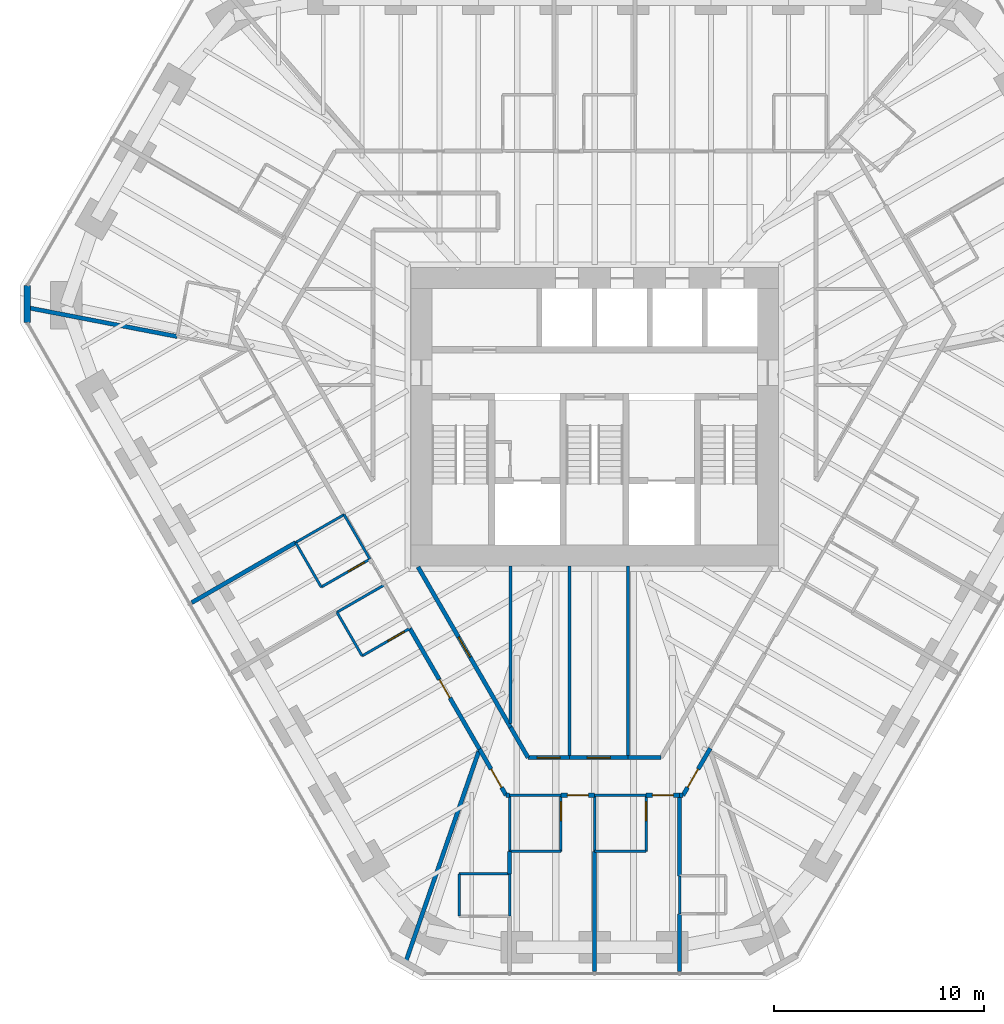
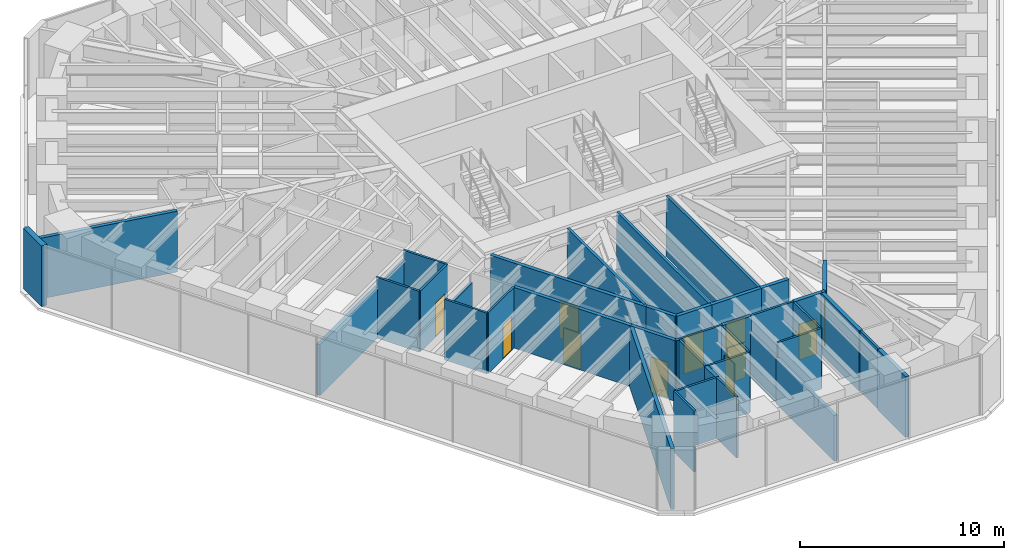
# One storey, part 11 of 16: 42 walls, 12 doors, 12 openings.
"""IFC4 building model written with IfcOpenShell, lengths in metres."""

from ifc_helpers import new_model, si_unit, direction, frame, frame_2d, origin, place, context, subcontext, project, spatial, rectangle, extrude, material, layer, layer_set, type_object, element, fill, save


model = new_model("IFC4")

# Units and contexts
model_context = context("Model", 3, precision=1e-05, world=origin(), true_north=direction((0.0, 1.0)))
body_context = subcontext(model_context, "Body", "Model", "MODEL_VIEW")
ifc_project = project(units=[si_unit("LENGTHUNIT", "METRE"), si_unit("AREAUNIT", "SQUARE_METRE"), si_unit("VOLUMEUNIT", "CUBIC_METRE"), si_unit("PLANEANGLEUNIT", "RADIAN"), si_unit("MASSUNIT", "GRAM", prefix="KILO")], contexts=[model_context])

# Site, building, storey
site_placement = place(None, origin())
site = spatial("IfcSite", under=ifc_project, at=site_placement, CompositionType="ELEMENT")
building_placement = place(site_placement, origin())
building = spatial("IfcBuilding", under=site, at=building_placement, Name="Sandreach Pilgrim Tower", CompositionType="ELEMENT")
storey_placement = place(building_placement, frame((0.0, 0.0, 187.0)))
storey = spatial("IfcBuildingStorey", under=building, at=storey_placement, Name="L46", CompositionType="ELEMENT", Elevation=187.0)

# Walls
ifc_material_1 = material(Name="Gypsum board on steel studs", Category="steel")
ifc_layer_1 = layer(ifc_material_1, 0.14990234375)
ifc_layer_set_1 = layer_set([ifc_layer_1], Name="Back of house wall 150")
wall_type_1 = type_object("IfcWallType", Name="Back of house wall 150", PredefinedType="PARTITIONING", material=ifc_layer_set_1)
wall_1_placement = place(storey_placement, frame((-4.0, -7.10009765625, 0.0), z_axis=(0.0, 0.0, 1.0), x_axis=(0.0, -1.0, 0.0)))
element("IfcWall", 1, at=wall_1_placement, inside=storey, type_object=wall_type_1, Name="Back of house wall L46-062", PredefinedType="PARTITIONING", context=body_context, shape_type="SweptSolid", body=[
    extrude(rectangle(XDim=7.514892578125, YDim=0.14990234375, at=frame_2d((3.75732421875, 0.0))), origin(), (0.0, 0.0, 1.0), 3.639892578125),
])
for number, where, z_axis, x_axis, name in (
    (2, (-1.199951171875, -7.10009765625, 0.0), (0.0, 0.0, 1.0), (0.0, -1.0, 0.0), "Back of house wall L46-071"),
    (3, (1.60009765625, -7.10009765625, 0.0), (0.0, 0.0, 1.0), (0.0, -1.0, 0.0), "Back of house wall L46-079"),
):
    element("IfcWall", number, at=place(storey_placement, frame(where, z_axis=z_axis, x_axis=x_axis)), inside=storey, type_object=wall_type_1, Name=name, PredefinedType="PARTITIONING", context=body_context, shape_type="SweptSolid", body=[
        extrude(rectangle(XDim=9.1298828125, YDim=0.14990234375, at=frame_2d((4.56494140625, 0.0))), origin(), (0.0, 0.0, 1.0), 3.639892578125),
    ])
ifc_material_2 = material(Name="Moisture-resistant gypsum board on steel studs", Category="steel")
ifc_layer_2 = layer(ifc_material_2, 0.1201171875)
ifc_layer_set_2 = layer_set([ifc_layer_2], Name="Bathroom partition 120")
wall_type_2 = type_object("IfcWallType", Name="Bathroom partition 120", PredefinedType="PARTITIONING", material=ifc_layer_set_2)
wall_2_placement = place(storey_placement, frame((-14.239990234375, -5.989990234375, 0.0), z_axis=(0.0, 0.0, 1.0), x_axis=(0.498748634132, -0.866746675766, 0.0)))
element("IfcWall", 4, at=wall_2_placement, inside=storey, type_object=wall_type_2, Name="Bathroom partition L46-023", PredefinedType="PARTITIONING", context=body_context, shape_type="SweptSolid", body=[
    extrude(rectangle(XDim=2.446044921875, YDim=0.1201171875, at=frame_2d((1.22314453125, 0.0))), origin(), (0.0, 0.0, 1.0), 3.639892578125),
])
wall_3_placement = place(storey_placement, frame((-14.239990234375, -5.989990234375, 0.0), z_axis=(0.0, 0.0, 1.0), x_axis=(0.866615255992, 0.498976951453, 0.0)))
element("IfcWall", 5, at=wall_3_placement, inside=storey, type_object=wall_type_2, Name="Bathroom partition L46-024", PredefinedType="PARTITIONING", context=body_context, shape_type="SweptSolid", body=[
    extrude(rectangle(XDim=2.66552734375, YDim=0.1201171875, at=frame_2d((1.332763671875, 0.0))), origin(), (0.0, 0.0, 1.0), 3.0380859375),
])

# Wall, opening, door
wall_4_placement = place(storey_placement, frame((-13.02001953125, -8.110107421875, 0.0), z_axis=(0.0, 0.0, 1.0), x_axis=(0.867545659855, 0.497357545501, 0.0)))
wall_4 = element("IfcWall", 6, at=wall_4_placement, inside=storey, type_object=wall_type_2, Name="Bathroom partition L46-029", PredefinedType="PARTITIONING", context=body_context, shape_type="SweptSolid", body=[
    extrude(rectangle(XDim=2.67431640625, YDim=0.1201171875, at=frame_2d((1.337158203125, 0.0))), origin(), (0.0, 0.0, 1.0), 3.639892578125),
])
opening_1_placement = place(wall_4_placement, frame((1.47412109375, 0.0, 0.0)))
opening_1 = element("IfcOpeningElement", 7, at=opening_1_placement, cuts=wall_4, Name="Opening D09-14B", PredefinedType="OPENING", context=body_context, shape_type="SweptSolid", body=[
    extrude(rectangle(XDim=0.89990234375, YDim=2.030029296875, at=frame_2d((0.449951171875, 1.01513671875))), frame((0.0, 0.06005859375, 0.0), z_axis=(0.0, -1.0, 0.0), x_axis=(1.0, 0.0, 0.0)), (0.0, 0.0, 1.0), 0.1201171875),
])
ifc_material_3 = material(Name="Timber door, steel frame", Category="steel")
door_type_1 = type_object("IfcDoorType", Name="Bathroom door", OperationType="SINGLE_SWING_LEFT", PredefinedType="DOOR", material=ifc_material_3)
door_1_placement = place(opening_1_placement, origin())
door_1 = element("IfcDoor", 8, at=door_1_placement, inside=storey, type_object=door_type_1, Name="Door 4614B", OperationType="SINGLE_SWING_RIGHT", OverallHeight=2.030029296875, OverallWidth=0.89990234375, PredefinedType="DOOR", context=body_context, shape_type="SweptSolid", body=[
    extrude(rectangle(XDim=0.89990234375, YDim=2.030029296875, at=frame_2d((0.449951171875, 1.01513671875))), frame((0.0, 0.02490234375, 0.0), z_axis=(0.0, -1.0, 0.0), x_axis=(1.0, 0.0, 0.0)), (0.0, 0.0, 1.0), 0.050048828125),
])
fill(opening_1, door_1)

# Walls
wall_5_placement = place(storey_placement, frame((-12.27001953125, -9.31005859375, 0.0), z_axis=(0.0, 0.0, 1.0), x_axis=(0.499737123639, -0.866177122335, 0.0)))
element("IfcWall", 9, at=wall_5_placement, inside=storey, type_object=wall_type_2, Name="Bathroom partition L46-030", PredefinedType="PARTITIONING", context=body_context, shape_type="SweptSolid", body=[
    extrude(rectangle(XDim=2.401123046875, YDim=0.1201171875, at=frame_2d((1.20068359375, 0.0))), origin(), (0.0, 0.0, 1.0), 3.639892578125),
])
wall_6_placement = place(storey_placement, frame((-12.27001953125, -9.31005859375, 0.0), z_axis=(0.0, 0.0, 1.0), x_axis=(0.866114241029, 0.499846097802, 0.0)))
element("IfcWall", 10, at=wall_6_placement, inside=storey, type_object=wall_type_2, Name="Bathroom partition L46-031", PredefinedType="PARTITIONING", context=body_context, shape_type="SweptSolid", body=[
    extrude(rectangle(XDim=2.620849609375, YDim=0.1201171875, at=frame_2d((1.310546875, 0.0))), origin(), (0.0, 0.0, 1.0), 3.0380859375),
])
wall_7_placement = place(storey_placement, frame((-11.929931640625, -4.659912109375, 0.0), z_axis=(0.0, 0.0, 1.0), x_axis=(0.501813488763, -0.864975850817, 0.0)))
element("IfcWall", 11, at=wall_7_placement, inside=storey, type_object=wall_type_2, Name="Bathroom partition L46-032", PredefinedType="PARTITIONING", context=body_context, shape_type="SweptSolid", body=[
    extrude(rectangle(XDim=2.451171875, YDim=0.1201171875, at=frame_2d((1.2255859375, 0.0))), origin(), (0.0, 0.0, 1.0), 3.639892578125),
])

# Wall, opening, door
wall_8_placement = place(storey_placement, frame((-11.070068359375, -11.389892578125, 0.0), z_axis=(0.0, 0.0, 1.0), x_axis=(0.866154567199, 0.49977621564, 0.0)))
wall_8 = element("IfcWall", 12, at=wall_8_placement, inside=storey, type_object=wall_type_2, Name="Bathroom partition L46-034", PredefinedType="PARTITIONING", context=body_context, shape_type="SweptSolid", body=[
    extrude(rectangle(XDim=2.620849609375, YDim=0.1201171875, at=frame_2d((1.310546875, 0.0))), origin(), (0.0, 0.0, 1.0), 3.639892578125),
])
opening_2_placement = place(wall_8_placement, frame((1.4208984375, 0.0, 0.0)))
opening_2 = element("IfcOpeningElement", 13, at=opening_2_placement, cuts=wall_8, Name="Opening D09-13B", PredefinedType="OPENING", context=body_context, shape_type="SweptSolid", body=[
    extrude(rectangle(XDim=0.89990234375, YDim=2.030029296875, at=frame_2d((0.449951171875, 1.01513671875))), frame((0.0, 0.06005859375, 0.0), z_axis=(0.0, -1.0, 0.0), x_axis=(1.0, 0.0, 0.0)), (0.0, 0.0, 1.0), 0.1201171875),
])
door_2_placement = place(opening_2_placement, origin())
door_2 = element("IfcDoor", 14, at=door_2_placement, inside=storey, type_object=door_type_1, Name="Door 4613B", OperationType="SINGLE_SWING_RIGHT", OverallHeight=2.030029296875, OverallWidth=0.89990234375, PredefinedType="DOOR", context=body_context, shape_type="SweptSolid", body=[
    extrude(rectangle(XDim=0.89990234375, YDim=2.030029296875, at=frame_2d((0.449951171875, 1.01513671875))), frame((0.0, 0.02490234375, 0.0), z_axis=(0.0, -1.0, 0.0), x_axis=(1.0, 0.0, 0.0)), (0.0, 0.0, 1.0), 0.050048828125),
])
fill(opening_2, door_2)

# Walls
for number, where, z_axis, x_axis, name in (
    (15, (-6.449951171875, -21.77001953125, 0.0), (0.0, 0.0, 1.0), (0.0, -1.0, 0.0), "Bathroom partition L46-047"),
    (16, (-4.050048828125, -23.780029296875, 0.0), (0.0, 0.0, 1.0), (0.0, 1.0, 0.0), "Bathroom partition L46-055"),
):
    element("IfcWall", number, at=place(storey_placement, frame(where, z_axis=z_axis, x_axis=x_axis)), inside=storey, type_object=wall_type_2, Name=name, PredefinedType="PARTITIONING", context=body_context, shape_type="SweptSolid", body=[
        extrude(rectangle(XDim=2.010009765625, YDim=0.1201171875, at=frame_2d((1.0048828125, 0.0))), origin(), (0.0, 0.0, 1.0), 3.639892578125),
    ])
wall_9_placement = place(storey_placement, frame((-4.050048828125, -21.77001953125, 0.0), z_axis=(0.0, 0.0, 1.0), x_axis=(-1.0, 0.0, 0.0)))
element("IfcWall", 17, at=wall_9_placement, inside=storey, type_object=wall_type_2, Name="Bathroom partition L46-056", PredefinedType="PARTITIONING", context=body_context, shape_type="SweptSolid", body=[
    extrude(rectangle(XDim=2.39990234375, YDim=0.1201171875, at=frame_2d((1.199951171875, 0.0))), origin(), (0.0, 0.0, 1.0), 3.639892578125),
])
wall_10_placement = place(storey_placement, frame((-4.050048828125, -20.699951171875, 0.0), z_axis=(0.0, 0.0, 1.0), x_axis=(0.0, 1.0, 0.0)))
element("IfcWall", 18, at=wall_10_placement, inside=storey, type_object=wall_type_2, Name="Bathroom partition L46-058", PredefinedType="PARTITIONING", context=body_context, shape_type="SweptSolid", body=[
    extrude(rectangle(XDim=2.669921875, YDim=0.1201171875, at=frame_2d((1.3349609375, 0.0))), origin(), (0.0, 0.0, 1.0), 3.639892578125),
])
for number, where, z_axis, x_axis, name in (
    (19, (-4.050048828125, -20.699951171875, 0.0), (0.0, 0.0, 1.0), (1.0, 0.0, 0.0), "Bathroom partition L46-059"),
    (20, (-4.050048828125, -18.030029296875, 0.0), (0.0, 0.0, 1.0), (1.0, 0.0, 0.0), "Bathroom partition L46-060"),
):
    element("IfcWall", number, at=place(storey_placement, frame(where, z_axis=z_axis, x_axis=x_axis)), inside=storey, type_object=wall_type_2, Name=name, PredefinedType="PARTITIONING", context=body_context, shape_type="SweptSolid", body=[
        extrude(rectangle(XDim=2.449951171875, YDim=0.1201171875, at=frame_2d((1.22509765625, 0.0))), origin(), (0.0, 0.0, 1.0), 3.639892578125),
    ])

# Wall, opening, door
wall_11_placement = place(storey_placement, frame((-1.60009765625, -20.699951171875, 0.0), z_axis=(0.0, 0.0, 1.0), x_axis=(0.0, 1.0, 0.0)))
wall_11 = element("IfcWall", 21, at=wall_11_placement, inside=storey, type_object=wall_type_2, Name="Bathroom partition L46-068", PredefinedType="PARTITIONING", context=body_context, shape_type="SweptSolid", body=[
    extrude(rectangle(XDim=2.669921875, YDim=0.1201171875, at=frame_2d((1.3349609375, 0.0))), origin(), (0.0, 0.0, 1.0), 3.639892578125),
])
opening_3_placement = place(wall_11_placement, frame((1.469970703125, 0.0, 0.0)))
opening_3 = element("IfcOpeningElement", 22, at=opening_3_placement, cuts=wall_11, Name="Opening D09-11B", PredefinedType="OPENING", context=body_context, shape_type="SweptSolid", body=[
    extrude(rectangle(XDim=0.89990234375, YDim=2.030029296875, at=frame_2d((0.449951171875, 1.01513671875))), frame((0.0, 0.06005859375, 0.0), z_axis=(0.0, -1.0, 0.0), x_axis=(1.0, 0.0, 0.0)), (0.0, 0.0, 1.0), 0.1201171875),
])
door_3_placement = place(opening_3_placement, origin())
door_3 = element("IfcDoor", 23, at=door_3_placement, inside=storey, type_object=door_type_1, Name="Door 4611B", OperationType="SINGLE_SWING_RIGHT", OverallHeight=2.030029296875, OverallWidth=0.89990234375, PredefinedType="DOOR", context=body_context, shape_type="SweptSolid", body=[
    extrude(rectangle(XDim=0.89990234375, YDim=2.030029296875, at=frame_2d((0.449951171875, 1.01513671875))), frame((0.0, 0.02490234375, 0.0), z_axis=(0.0, -1.0, 0.0), x_axis=(1.0, 0.0, 0.0)), (0.0, 0.0, 1.0), 0.050048828125),
])
fill(opening_3, door_3)

# Walls
wall_12_placement = place(storey_placement, frame((0.0, -20.699951171875, 0.0), z_axis=(0.0, 0.0, 1.0), x_axis=(0.0, 1.0, 0.0)))
element("IfcWall", 24, at=wall_12_placement, inside=storey, type_object=wall_type_2, Name="Bathroom partition L46-075", PredefinedType="PARTITIONING", context=body_context, shape_type="SweptSolid", body=[
    extrude(rectangle(XDim=2.669921875, YDim=0.1201171875, at=frame_2d((1.3349609375, 0.0))), origin(), (0.0, 0.0, 1.0), 2.7255859375),
])
for number, where, z_axis, x_axis, name in (
    (25, (0.0, -20.699951171875, 0.0), (0.0, 0.0, 1.0), (1.0, 0.0, 0.0), "Bathroom partition L46-076"),
    (26, (0.0, -18.030029296875, 0.0), (0.0, 0.0, 1.0), (1.0, 0.0, 0.0), "Bathroom partition L46-077"),
):
    element("IfcWall", number, at=place(storey_placement, frame(where, z_axis=z_axis, x_axis=x_axis)), inside=storey, type_object=wall_type_2, Name=name, PredefinedType="PARTITIONING", context=body_context, shape_type="SweptSolid", body=[
        extrude(rectangle(XDim=2.449951171875, YDim=0.1201171875, at=frame_2d((1.22509765625, 0.0))), origin(), (0.0, 0.0, 1.0), 3.639892578125),
    ])

# Wall, opening, door
wall_13_placement = place(storey_placement, frame((2.449951171875, -20.699951171875, 0.0), z_axis=(0.0, 0.0, 1.0), x_axis=(0.0, 1.0, 0.0)))
wall_13 = element("IfcWall", 27, at=wall_13_placement, inside=storey, type_object=wall_type_2, Name="Bathroom partition L46-084", PredefinedType="PARTITIONING", context=body_context, shape_type="SweptSolid", body=[
    extrude(rectangle(XDim=2.669921875, YDim=0.1201171875, at=frame_2d((1.3349609375, 0.0))), origin(), (0.0, 0.0, 1.0), 3.639892578125),
])
opening_4_placement = place(wall_13_placement, frame((1.469970703125, 0.0, 0.0)))
opening_4 = element("IfcOpeningElement", 28, at=opening_4_placement, cuts=wall_13, Name="Opening D09-10B", PredefinedType="OPENING", context=body_context, shape_type="SweptSolid", body=[
    extrude(rectangle(XDim=0.89990234375, YDim=2.030029296875, at=frame_2d((0.449951171875, 1.01513671875))), frame((0.0, 0.06005859375, 0.0), z_axis=(0.0, -1.0, 0.0), x_axis=(1.0, 0.0, 0.0)), (0.0, 0.0, 1.0), 0.1201171875),
])
door_4_placement = place(opening_4_placement, origin())
door_4 = element("IfcDoor", 29, at=door_4_placement, inside=storey, type_object=door_type_1, Name="Door 4610B", OperationType="SINGLE_SWING_RIGHT", OverallHeight=2.030029296875, OverallWidth=0.89990234375, PredefinedType="DOOR", context=body_context, shape_type="SweptSolid", body=[
    extrude(rectangle(XDim=0.89990234375, YDim=2.030029296875, at=frame_2d((0.449951171875, 1.01513671875))), frame((0.0, 0.02490234375, 0.0), z_axis=(0.0, -1.0, 0.0), x_axis=(1.0, 0.0, 0.0)), (0.0, 0.0, 1.0), 0.050048828125),
])
fill(opening_4, door_4)

# Wall
wall_14_placement = place(storey_placement, frame((4.050048828125, -23.679931640625, 0.0), z_axis=(0.0, 0.0, 1.0), x_axis=(0.0, 1.0, 0.0)))
element("IfcWall", 30, at=wall_14_placement, inside=storey, type_object=wall_type_2, Name="Bathroom partition L46-088", PredefinedType="PARTITIONING", context=body_context, shape_type="SweptSolid", body=[
    extrude(rectangle(XDim=1.809814453125, YDim=0.1201171875, at=frame_2d((0.90478515625, 0.0))), origin(), (0.0, 0.0, 1.0), 3.639892578125),
])

# Wall, opening, door
ifc_material_4 = material(Name="Gypsum board on steel studs, two layers each side", Category="steel")
ifc_layer_3 = layer(ifc_material_4, 0.199951171875)
ifc_layer_set_3 = layer_set([ifc_layer_3], Name="Corridor wall 200")
wall_type_3 = type_object("IfcWallType", Name="Corridor wall 200", PredefinedType="PARTITIONING", material=ifc_layer_set_3)
wall_15_placement = place(storey_placement, frame((-8.800048828125, -10.080078125, 0.0), z_axis=(0.0, 0.0, 1.0), x_axis=(0.500034373799, -0.866005557153, 0.0)))
wall_15 = element("IfcWall", 31, at=wall_15_placement, inside=storey, type_object=wall_type_3, Name="Corridor wall L46-045", PredefinedType="PARTITIONING", context=body_context, shape_type="SweptSolid", body=[
    extrude(rectangle(XDim=6.6396484375, YDim=0.199951171875, at=frame_2d((3.31982421875, 0.0))), origin(), (0.0, 0.0, 1.0), 3.639892578125),
])
opening_5_placement = place(wall_15_placement, frame((2.81982421875, 0.0, 0.0)))
opening_5 = element("IfcOpeningElement", 32, at=opening_5_placement, cuts=wall_15, Name="Opening D10-13", PredefinedType="OPENING", context=body_context, shape_type="SweptSolid", body=[
    extrude(rectangle(XDim=1.0, YDim=2.1298828125, at=frame_2d((0.5, 1.06494140625))), frame((0.0, 0.10009765625, 0.0), z_axis=(0.0, -1.0, 0.0), x_axis=(1.0, 0.0, 0.0)), (0.0, 0.0, 1.0), 0.199951171875),
])
ifc_material_5 = material(Name="Steel door and frame", Category="steel")
door_type_2 = type_object("IfcDoorType", Name="Guest room entry door", OperationType="SINGLE_SWING_LEFT", PredefinedType="DOOR", material=ifc_material_5)
door_5_placement = place(opening_5_placement, origin())
door_5 = element("IfcDoor", 33, at=door_5_placement, inside=storey, type_object=door_type_2, Name="Door 4613", OperationType="SINGLE_SWING_LEFT", OverallHeight=2.1298828125, OverallWidth=1.0, PredefinedType="DOOR", context=body_context, shape_type="SweptSolid", body=[
    extrude(rectangle(XDim=1.0, YDim=2.1298828125, at=frame_2d((0.5, 1.06494140625))), frame((0.0, 0.02490234375, 0.0), z_axis=(0.0, -1.0, 0.0), x_axis=(1.0, 0.0, 0.0)), (0.0, 0.0, 1.0), 0.050048828125),
])
fill(opening_5, door_5)

wall_16_placement = place(storey_placement, frame((-5.47998046875, -15.830078125, 0.0), z_axis=(0.0, 0.0, 1.0), x_axis=(0.499963722229, -0.866046347752, 0.0)))
wall_16 = element("IfcWall", 34, at=wall_16_placement, inside=storey, type_object=wall_type_3, Name="Corridor wall L46-048", PredefinedType="PARTITIONING", context=body_context, shape_type="SweptSolid", body=[
    extrude(rectangle(XDim=2.540283203125, YDim=0.199951171875, at=frame_2d((1.27001953125, 0.0))), origin(), (0.0, 0.0, 1.0), 3.639892578125),
])
opening_6_placement = place(wall_16_placement, frame((1.10009765625, 0.0, 0.0)))
opening_6 = element("IfcOpeningElement", 35, at=opening_6_placement, cuts=wall_16, Name="Opening D10-12", PredefinedType="OPENING", context=body_context, shape_type="SweptSolid", body=[
    extrude(rectangle(XDim=1.0, YDim=2.1298828125, at=frame_2d((0.5, 1.06494140625))), frame((0.0, 0.10009765625, 0.0), z_axis=(0.0, -1.0, 0.0), x_axis=(1.0, 0.0, 0.0)), (0.0, 0.0, 1.0), 0.199951171875),
])
door_6_placement = place(opening_6_placement, origin())
door_6 = element("IfcDoor", 36, at=door_6_placement, inside=storey, type_object=door_type_2, Name="Door 4612", OperationType="SINGLE_SWING_RIGHT", OverallHeight=2.1298828125, OverallWidth=1.0, PredefinedType="DOOR", context=body_context, shape_type="SweptSolid", body=[
    extrude(rectangle(XDim=1.0, YDim=2.1298828125, at=frame_2d((0.5, 1.06494140625))), frame((0.0, 0.02490234375, 0.0), z_axis=(0.0, -1.0, 0.0), x_axis=(1.0, 0.0, 0.0)), (0.0, 0.0, 1.0), 0.050048828125),
])
fill(opening_6, door_6)

# Wall
wall_17_placement = place(storey_placement, frame((-4.2099609375, -18.030029296875, 0.0), z_axis=(0.0, 0.0, 1.0), x_axis=(1.0, 0.0, 0.0)))
element("IfcWall", 37, at=wall_17_placement, inside=storey, type_object=wall_type_3, Name="Corridor wall L46-053", PredefinedType="PARTITIONING", context=body_context, shape_type="SweptSolid", body=[
    extrude(rectangle(XDim=0.159912109375, YDim=0.199951171875, at=frame_2d((0.080078125, 0.0))), origin(), (0.0, 0.0, 1.0), 3.639892578125),
])

# Wall, opening, door
wall_18_placement = place(storey_placement, frame((-4.0, -14.7900390625, 0.0), z_axis=(0.0, 0.0, 1.0), x_axis=(-0.499916512745, 0.866073599808, 0.0)))
wall_18 = element("IfcWall", 38, at=wall_18_placement, inside=storey, type_object=wall_type_3, Name="Corridor wall L46-061", PredefinedType="PARTITIONING", context=body_context, shape_type="SweptSolid", body=[
    extrude(rectangle(XDim=8.8212890625, YDim=0.199951171875, at=frame_2d((4.41064453125, 0.0))), origin(), (0.0, 0.0, 1.0), 3.639892578125),
])
opening_7_placement = place(wall_18_placement, frame((3.860595703125, 0.0, 0.0)))
opening_7 = element("IfcOpeningElement", 39, at=opening_7_placement, cuts=wall_18, Name="Opening D11H-S1", PredefinedType="OPENING", context=body_context, shape_type="SweptSolid", body=[
    extrude(rectangle(XDim=1.10009765625, YDim=2.199951171875, at=frame_2d((0.550048828125, 1.10009765625))), frame((0.0, 0.10009765625, 0.0), z_axis=(0.0, -1.0, 0.0), x_axis=(1.0, 0.0, 0.0)), (0.0, 0.0, 1.0), 0.199951171875),
])
ifc_material_6 = material(Name="Steel door and frame", Category="steel")
door_type_3 = type_object("IfcDoorType", Name="Back of house door", OperationType="SINGLE_SWING_LEFT", PredefinedType="DOOR", material=ifc_material_6)
door_7_placement = place(opening_7_placement, origin())
door_7 = element("IfcDoor", 40, at=door_7_placement, inside=storey, type_object=door_type_3, Name="Door 46S1", OperationType="SINGLE_SWING_LEFT", OverallHeight=2.199951171875, OverallWidth=1.10009765625, PredefinedType="DOOR", context=body_context, shape_type="SweptSolid", body=[
    extrude(rectangle(XDim=1.10009765625, YDim=2.199951171875, at=frame_2d((0.550048828125, 1.10009765625))), frame((0.0, 0.02490234375, 0.0), z_axis=(0.0, -1.0, 0.0), x_axis=(1.0, 0.0, 0.0)), (0.0, 0.0, 1.0), 0.050048828125),
])
fill(opening_7, door_7)

# Wall
wall_19_placement = place(storey_placement, frame((-3.169921875, -16.22998046875, 0.0), z_axis=(0.0, 0.0, 1.0), x_axis=(-0.499425709803, 0.866356716594, 0.0)))
element("IfcWall", 41, at=wall_19_placement, inside=storey, type_object=wall_type_3, Name="Corridor wall L46-063", PredefinedType="PARTITIONING", context=body_context, shape_type="SweptSolid", body=[
    extrude(rectangle(XDim=1.662109375, YDim=0.199951171875, at=frame_2d((0.8310546875, 0.0))), origin(), (0.0, 0.0, 1.0), 3.639892578125),
])

# Wall, opening, door
wall_20_placement = place(storey_placement, frame((-1.60009765625, -18.030029296875, 0.0), z_axis=(0.0, 0.0, 1.0), x_axis=(1.0, 0.0, 0.0)))
wall_20 = element("IfcWall", 42, at=wall_20_placement, inside=storey, type_object=wall_type_3, Name="Corridor wall L46-069", PredefinedType="PARTITIONING", context=body_context, shape_type="SweptSolid", body=[
    extrude(rectangle(XDim=1.60009765625, YDim=0.199951171875, at=frame_2d((0.800048828125, 0.0))), origin(), (0.0, 0.0, 1.0), 3.639892578125),
])
opening_8_placement = place(wall_20_placement, frame((0.300048828125, 0.0, 0.0)))
opening_8 = element("IfcOpeningElement", 43, at=opening_8_placement, cuts=wall_20, Name="Opening D10-11", PredefinedType="OPENING", context=body_context, shape_type="SweptSolid", body=[
    extrude(rectangle(XDim=1.0, YDim=2.1298828125, at=frame_2d((0.5, 1.06494140625))), frame((0.0, 0.10009765625, 0.0), z_axis=(0.0, -1.0, 0.0), x_axis=(1.0, 0.0, 0.0)), (0.0, 0.0, 1.0), 0.199951171875),
])
door_8_placement = place(opening_8_placement, origin())
door_8 = element("IfcDoor", 44, at=door_8_placement, inside=storey, type_object=door_type_2, Name="Door 4611", OperationType="SINGLE_SWING_LEFT", OverallHeight=2.1298828125, OverallWidth=1.0, PredefinedType="DOOR", context=body_context, shape_type="SweptSolid", body=[
    extrude(rectangle(XDim=1.0, YDim=2.1298828125, at=frame_2d((0.5, 1.06494140625))), frame((0.0, 0.02490234375, 0.0), z_axis=(0.0, -1.0, 0.0), x_axis=(1.0, 0.0, 0.0)), (0.0, 0.0, 1.0), 0.050048828125),
])
fill(opening_8, door_8)

wall_21_placement = place(storey_placement, frame((-1.199951171875, -16.22998046875, 0.0), z_axis=(0.0, 0.0, 1.0), x_axis=(-1.0, 0.0, 0.0)))
wall_21 = element("IfcWall", 45, at=wall_21_placement, inside=storey, type_object=wall_type_3, Name="Corridor wall L46-070", PredefinedType="PARTITIONING", context=body_context, shape_type="SweptSolid", body=[
    extrude(rectangle(XDim=1.969970703125, YDim=0.199951171875, at=frame_2d((0.98486328125, 0.0))), origin(), (0.0, 0.0, 1.0), 3.639892578125),
])
opening_9_placement = place(wall_21_placement, frame((0.43505859375, 0.0, 0.0)))
opening_9 = element("IfcOpeningElement", 46, at=opening_9_placement, cuts=wall_21, Name="Opening D11H-S2", PredefinedType="OPENING", context=body_context, shape_type="SweptSolid", body=[
    extrude(rectangle(XDim=1.10009765625, YDim=2.199951171875, at=frame_2d((0.550048828125, 1.10009765625))), frame((0.0, 0.10009765625, 0.0), z_axis=(0.0, -1.0, 0.0), x_axis=(1.0, 0.0, 0.0)), (0.0, 0.0, 1.0), 0.199951171875),
])
door_9_placement = place(opening_9_placement, origin())
door_9 = element("IfcDoor", 47, at=door_9_placement, inside=storey, type_object=door_type_3, Name="Door 46S2", OperationType="SINGLE_SWING_LEFT", OverallHeight=2.199951171875, OverallWidth=1.10009765625, PredefinedType="DOOR", context=body_context, shape_type="SweptSolid", body=[
    extrude(rectangle(XDim=1.10009765625, YDim=2.199951171875, at=frame_2d((0.550048828125, 1.10009765625))), frame((0.0, 0.02490234375, 0.0), z_axis=(0.0, -1.0, 0.0), x_axis=(1.0, 0.0, 0.0)), (0.0, 0.0, 1.0), 0.050048828125),
])
fill(opening_9, door_9)

wall_22_placement = place(storey_placement, frame((1.60009765625, -16.22998046875, 0.0), z_axis=(0.0, 0.0, 1.0), x_axis=(-1.0, 0.0, 0.0)))
wall_22 = element("IfcWall", 48, at=wall_22_placement, inside=storey, type_object=wall_type_3, Name="Corridor wall L46-078", PredefinedType="PARTITIONING", context=body_context, shape_type="SweptSolid", body=[
    extrude(rectangle(XDim=2.800048828125, YDim=0.199951171875, at=frame_2d((1.39990234375, 0.0))), origin(), (0.0, 0.0, 1.0), 3.639892578125),
])
opening_10_placement = place(wall_22_placement, frame((0.85009765625, 0.0, 0.0)))
opening_10 = element("IfcOpeningElement", 49, at=opening_10_placement, cuts=wall_22, Name="Opening D11H-S3", PredefinedType="OPENING", context=body_context, shape_type="SweptSolid", body=[
    extrude(rectangle(XDim=1.10009765625, YDim=2.199951171875, at=frame_2d((0.550048828125, 1.10009765625))), frame((0.0, 0.10009765625, 0.0), z_axis=(0.0, -1.0, 0.0), x_axis=(1.0, 0.0, 0.0)), (0.0, 0.0, 1.0), 0.199951171875),
])
door_10_placement = place(opening_10_placement, origin())
door_10 = element("IfcDoor", 50, at=door_10_placement, inside=storey, type_object=door_type_3, Name="Door 46S3", OperationType="SINGLE_SWING_LEFT", OverallHeight=2.199951171875, OverallWidth=1.10009765625, PredefinedType="DOOR", context=body_context, shape_type="SweptSolid", body=[
    extrude(rectangle(XDim=1.10009765625, YDim=2.199951171875, at=frame_2d((0.550048828125, 1.10009765625))), frame((0.0, 0.02490234375, 0.0), z_axis=(0.0, -1.0, 0.0), x_axis=(1.0, 0.0, 0.0)), (0.0, 0.0, 1.0), 0.050048828125),
])
fill(opening_10, door_10)

wall_23_placement = place(storey_placement, frame((2.449951171875, -18.030029296875, 0.0), z_axis=(0.0, 0.0, 1.0), x_axis=(1.0, 0.0, 0.0)))
wall_23 = element("IfcWall", 51, at=wall_23_placement, inside=storey, type_object=wall_type_3, Name="Corridor wall L46-085", PredefinedType="PARTITIONING", context=body_context, shape_type="SweptSolid", body=[
    extrude(rectangle(XDim=1.60009765625, YDim=0.199951171875, at=frame_2d((0.800048828125, 0.0))), origin(), (0.0, 0.0, 1.0), 3.639892578125),
])
opening_11_placement = place(wall_23_placement, frame((0.300048828125, 0.0, 0.0)))
opening_11 = element("IfcOpeningElement", 52, at=opening_11_placement, cuts=wall_23, Name="Opening D10-10", PredefinedType="OPENING", context=body_context, shape_type="SweptSolid", body=[
    extrude(rectangle(XDim=1.0, YDim=2.1298828125, at=frame_2d((0.5, 1.06494140625))), frame((0.0, 0.10009765625, 0.0), z_axis=(0.0, -1.0, 0.0), x_axis=(1.0, 0.0, 0.0)), (0.0, 0.0, 1.0), 0.199951171875),
])
door_11_placement = place(opening_11_placement, origin())
door_11 = element("IfcDoor", 53, at=door_11_placement, inside=storey, type_object=door_type_2, Name="Door 4610", OperationType="SINGLE_SWING_LEFT", OverallHeight=2.1298828125, OverallWidth=1.0, PredefinedType="DOOR", context=body_context, shape_type="SweptSolid", body=[
    extrude(rectangle(XDim=1.0, YDim=2.1298828125, at=frame_2d((0.5, 1.06494140625))), frame((0.0, 0.02490234375, 0.0), z_axis=(0.0, -1.0, 0.0), x_axis=(1.0, 0.0, 0.0)), (0.0, 0.0, 1.0), 0.050048828125),
])
fill(opening_11, door_11)

# Walls
wall_24_placement = place(storey_placement, frame((3.169921875, -16.22998046875, 0.0), z_axis=(0.0, 0.0, 1.0), x_axis=(-1.0, 0.0, 0.0)))
element("IfcWall", 54, at=wall_24_placement, inside=storey, type_object=wall_type_3, Name="Corridor wall L46-086", PredefinedType="PARTITIONING", context=body_context, shape_type="SweptSolid", body=[
    extrude(rectangle(XDim=1.56982421875, YDim=0.199951171875, at=frame_2d((0.784912109375, 0.0))), origin(), (0.0, 0.0, 1.0), 3.639892578125),
])
wall_25_placement = place(storey_placement, frame((4.050048828125, -18.030029296875, 0.0), z_axis=(0.0, 0.0, 1.0), x_axis=(1.0, 0.0, 0.0)))
element("IfcWall", 55, at=wall_25_placement, inside=storey, type_object=wall_type_3, Name="Corridor wall L46-091", PredefinedType="PARTITIONING", context=body_context, shape_type="SweptSolid", body=[
    extrude(rectangle(XDim=0.159912109375, YDim=0.199951171875, at=frame_2d((0.080078125, 0.0))), origin(), (0.0, 0.0, 1.0), 3.639892578125),
])

# Wall, opening, door
wall_26_placement = place(storey_placement, frame((5.510009765625, -15.7900390625, 0.0), z_axis=(0.0, 0.0, 1.0), x_axis=(-0.501964949025, -0.864887963814, 0.0)))
wall_26 = element("IfcWall", 56, at=wall_26_placement, inside=storey, type_object=wall_type_3, Name="Corridor wall L46-092", PredefinedType="PARTITIONING", context=body_context, shape_type="SweptSolid", body=[
    extrude(rectangle(XDim=2.58984375, YDim=0.199951171875, at=frame_2d((1.294921875, 0.0))), origin(), (0.0, 0.0, 1.0), 3.639892578125),
])
opening_12_placement = place(wall_26_placement, frame((1.14990234375, 0.0, 0.0)))
opening_12 = element("IfcOpeningElement", 57, at=opening_12_placement, cuts=wall_26, Name="Opening D10-09", PredefinedType="OPENING", context=body_context, shape_type="SweptSolid", body=[
    extrude(rectangle(XDim=1.0, YDim=2.1298828125, at=frame_2d((0.5, 1.06494140625))), frame((0.0, 0.10009765625, 0.0), z_axis=(0.0, -1.0, 0.0), x_axis=(1.0, 0.0, 0.0)), (0.0, 0.0, 1.0), 0.199951171875),
])
door_12_placement = place(opening_12_placement, origin())
door_12 = element("IfcDoor", 58, at=door_12_placement, inside=storey, type_object=door_type_2, Name="Door 4609", OperationType="SINGLE_SWING_RIGHT", OverallHeight=2.1298828125, OverallWidth=1.0, PredefinedType="DOOR", context=body_context, shape_type="SweptSolid", body=[
    extrude(rectangle(XDim=1.0, YDim=2.1298828125, at=frame_2d((0.5, 1.06494140625))), frame((0.0, 0.02490234375, 0.0), z_axis=(0.0, -1.0, 0.0), x_axis=(1.0, 0.0, 0.0)), (0.0, 0.0, 1.0), 0.050048828125),
])
fill(opening_12, door_12)

# Walls
ifc_material_7 = material(Name="Double steel stud acoustic wall, gypsum board", Category="steel")
ifc_layer_4 = layer(ifc_material_7, 0.199951171875)
ifc_layer_set_4 = layer_set([ifc_layer_4], Name="Party wall 200")
wall_type_4 = type_object("IfcWallType", Name="Party wall 200", PredefinedType="PARTITIONING", material=ifc_layer_set_4)
wall_27_placement = place(storey_placement, frame((-27.04052734375, 5.204345703125, 0.0), z_axis=(0.0, 0.0, 1.0), x_axis=(0.981883480928, -0.189485698355, 0.0)))
element("IfcWall", 59, at=wall_27_placement, inside=storey, type_object=wall_type_4, Name="Party wall L46-001", PredefinedType="PARTITIONING", context=body_context, shape_type="SweptSolid", body=[
    extrude(rectangle(XDim=7.291259765625, YDim=0.199951171875, at=frame_2d((3.6455078125, 0.0))), origin(), (0.0, 0.0, 1.0), 3.639892578125),
])
wall_28_placement = place(storey_placement, frame((-19.18603515625, -8.849853515625, 0.0), z_axis=(0.0, 0.0, 1.0), x_axis=(0.865702137343, 0.500559496364, 0.0)))
element("IfcWall", 60, at=wall_28_placement, inside=storey, type_object=wall_type_4, Name="Party wall L46-004", PredefinedType="PARTITIONING", context=body_context, shape_type="SweptSolid", body=[
    extrude(rectangle(XDim=5.71337890625, YDim=0.199951171875, at=frame_2d((2.856689453125, 0.0))), origin(), (0.0, 0.0, 1.0), 3.0380859375),
])
wall_29_placement = place(storey_placement, frame((-9.01025390625, -26.01171875, 0.0), z_axis=(0.0, 0.0, 1.0), x_axis=(0.327582991606, 0.944822408504, 0.0)))
element("IfcWall", 61, at=wall_29_placement, inside=storey, type_object=wall_type_4, Name="Party wall L46-044", PredefinedType="PARTITIONING", context=body_context, shape_type="SweptSolid", body=[
    extrude(rectangle(XDim=10.66650390625, YDim=0.199951171875, at=frame_2d((5.333251953125, 0.0))), origin(), (0.0, 0.0, 1.0), 3.639892578125),
])
wall_30_placement = place(storey_placement, frame((-4.050048828125, -21.77001953125, 0.0), z_axis=(0.0, 0.0, 1.0), x_axis=(0.0, 1.0, 0.0)))
element("IfcWall", 62, at=wall_30_placement, inside=storey, type_object=wall_type_4, Name="Party wall L46-057", PredefinedType="PARTITIONING", context=body_context, shape_type="SweptSolid", body=[
    extrude(rectangle(XDim=1.070068359375, YDim=0.199951171875, at=frame_2d((0.53515625, 0.0))), origin(), (0.0, 0.0, 1.0), 3.639892578125),
])
wall_31_placement = place(storey_placement, frame((0.0, -26.409912109375, 0.0), z_axis=(0.0, 0.0, 1.0), x_axis=(0.0, 1.0, 0.0)))
element("IfcWall", 63, at=wall_31_placement, inside=storey, type_object=wall_type_4, Name="Party wall L46-074", PredefinedType="PARTITIONING", context=body_context, shape_type="SweptSolid", body=[
    extrude(rectangle(XDim=5.7099609375, YDim=0.199951171875, at=frame_2d((2.85498046875, 0.0))), origin(), (0.0, 0.0, 1.0), 2.7255859375),
])
wall_32_placement = place(storey_placement, frame((4.050048828125, -26.409912109375, 0.0), z_axis=(0.0, 0.0, 1.0), x_axis=(0.0, 1.0, 0.0)))
element("IfcWall", 64, at=wall_32_placement, inside=storey, type_object=wall_type_4, Name="Party wall L46-087", PredefinedType="PARTITIONING", context=body_context, shape_type="SweptSolid", body=[
    extrude(rectangle(XDim=2.72998046875, YDim=0.199951171875, at=frame_2d((1.364990234375, 0.0))), origin(), (0.0, 0.0, 1.0), 3.639892578125),
])
wall_33_placement = place(storey_placement, frame((4.050048828125, -21.8701171875, 0.0), z_axis=(0.0, 0.0, 1.0), x_axis=(0.0, 1.0, 0.0)))
element("IfcWall", 65, at=wall_33_placement, inside=storey, type_object=wall_type_4, Name="Party wall L46-090", PredefinedType="PARTITIONING", context=body_context, shape_type="SweptSolid", body=[
    extrude(rectangle(XDim=3.830078125, YDim=0.199951171875, at=frame_2d((1.9150390625, 0.0))), origin(), (0.0, 0.0, 1.0), 3.639892578125),
])
ifc_material_8 = material(Name="Terracotta rainscreen on concrete", Category="masonry")
ifc_layer_5 = layer(ifc_material_8, 0.300048828125)
ifc_layer_set_5 = layer_set([ifc_layer_5], Name="Terracotta chamfer pier")
wall_type_5 = type_object("IfcWallType", Name="Terracotta chamfer pier", PredefinedType="SOLIDWALL", material=ifc_layer_set_5)
wall_34_placement = place(storey_placement, frame((-27.02001953125, 4.47998046875, 0.0), z_axis=(0.0, 0.0, 1.0), x_axis=(0.0, 1.0, 0.0)))
element("IfcWall", 66, at=wall_34_placement, inside=storey, type_object=wall_type_5, Name="Chamfer pier L46 SW", PredefinedType="SOLIDWALL", context=body_context, shape_type="SweptSolid", body=[
    extrude(rectangle(XDim=1.77001953125, YDim=0.300048828125, at=frame_2d((0.885009765625, 0.0))), origin(), (0.0, 0.0, 1.0), 3.639892578125),
])

save(model, "model.ifc")
